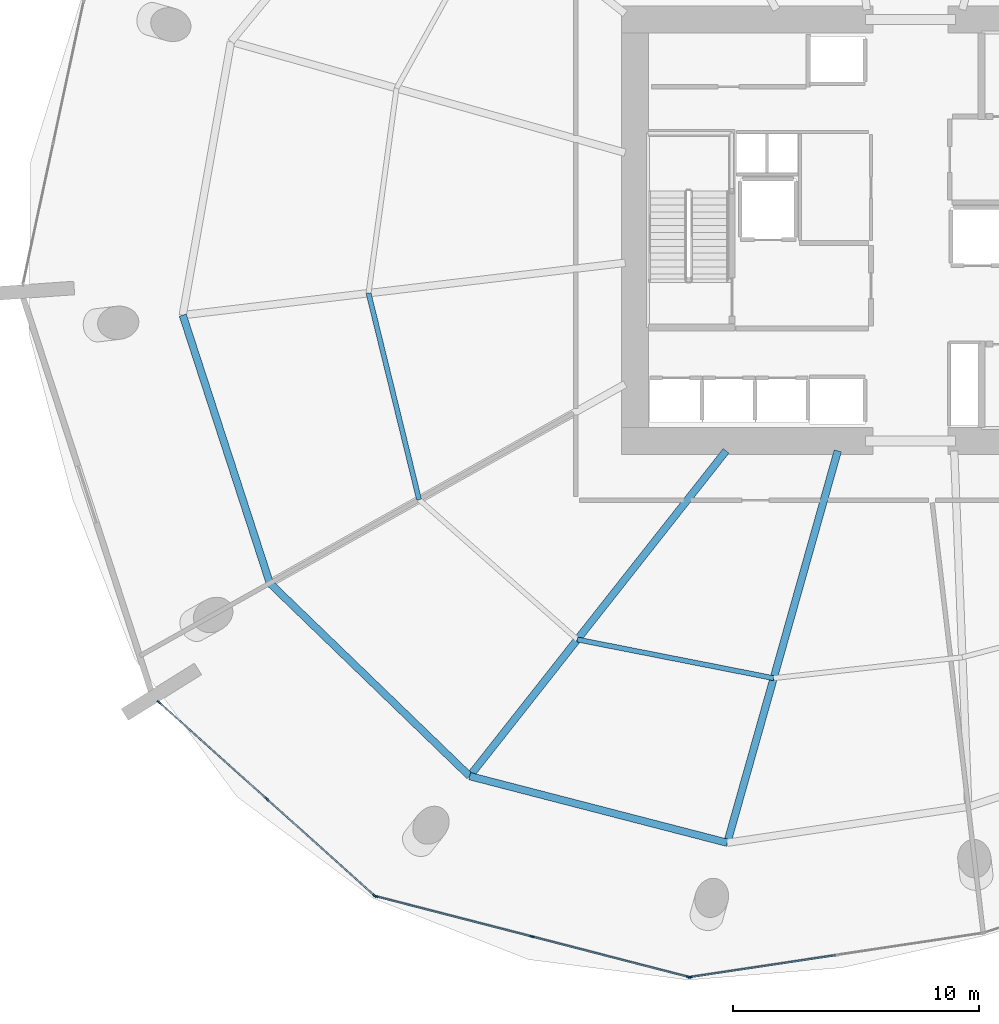
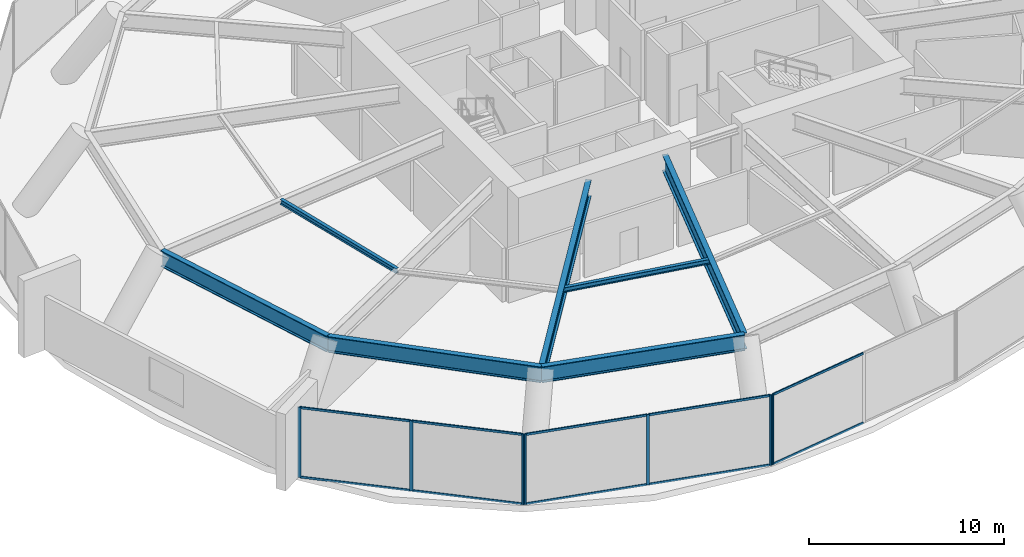
# One storey, part 7 of 21: 17 members, 7 beams, 3 elements without a shape of their own.
"""IFC4 building model written with IfcOpenShell, lengths in metres."""

import ifcopenshell
import ifcopenshell.guid

model = None  # the IFC model being written
_history = None  # IfcOwnerHistory: only IFC2X3 demands one
_inside = {}  # id of a spatial element -> (the spatial element, [elements in it])
_under = {}  # id of a project, library or spatial element -> (it, [spatial elements below it])
_declared = {}  # id of a project -> (the project, [libraries it declares])
_typed = {}  # id of a type object -> (the type object, [elements of that type])
_made_of = {}  # id of a material, layer set ... -> (it, [elements and type objects made of it])


def new_model(schema):
    """Start an empty IFC model of exactly this schema.

    Asked for "IFC4X3", IfcOpenShell would pick the latest addendum, in which some entities
    have other attributes; the version numbers below select the first issue.
    IFC2X3 requires an IfcOwnerHistory on every rooted entity: one is made here for all.
    """
    global model, _history
    if schema == "IFC4X3":
        model = ifcopenshell.file(schema_version=(4, 3, 0, 0))
    else:
        model = ifcopenshell.file(schema=schema)
    _inside.clear()
    _under.clear()
    _declared.clear()
    _typed.clear()
    _made_of.clear()
    _history = None
    if model.schema == "IFC2X3":
        org = make("IfcOrganization", Name="unknown")
        user = make(
            "IfcPersonAndOrganization",
            ThePerson=make("IfcPerson", FamilyName="unknown"),
            TheOrganization=org,
        )
        app = make(
            "IfcApplication",
            ApplicationDeveloper=org,
            Version="unknown",
            ApplicationFullName="unknown",
            ApplicationIdentifier="unknown",
        )
        _history = make(
            "IfcOwnerHistory",
            OwningUser=user,
            OwningApplication=app,
            ChangeAction="ADDED",
            CreationDate=0,
        )
    return model


def make(cls, **values):
    """One entity of the class cls with the attributes given. An attribute that is None is left unset."""
    return model.create_entity(
        cls, **{name: value for name, value in values.items() if value is not None}
    )


def rooted(cls, **values):
    """An entity with a GlobalId (a new one), such as an element, a storey or a relation."""
    return make(cls, GlobalId=ifcopenshell.guid.new(), OwnerHistory=_history, **values)


def si_unit(unit_type, name, prefix=None):
    """IfcSIUnit, for example si_unit("LENGTHUNIT", "METRE", prefix="MILLI")."""
    return make("IfcSIUnit", UnitType=unit_type, Prefix=prefix, Name=name)


def assignment(units):
    """IfcUnitAssignment: the units of a project."""
    return None if units is None else make("IfcUnitAssignment", Units=units)


def point(xyz):
    """IfcCartesianPoint."""
    return None if xyz is None else make("IfcCartesianPoint", Coordinates=xyz)


def direction(xyz):
    """IfcDirection."""
    return None if xyz is None else make("IfcDirection", DirectionRatios=xyz)


def frame(location, z_axis=None, x_axis=None):
    """IfcAxis2Placement3D, a coordinate frame: its origin and axes. An axis left out is left unset."""
    return make(
        "IfcAxis2Placement3D",
        Location=point(location),
        Axis=direction(z_axis),
        RefDirection=direction(x_axis),
    )


def frame_2d(location, x_axis=None):
    """IfcAxis2Placement2D, a coordinate frame in the plane: its origin and x axis."""
    return make(
        "IfcAxis2Placement2D", Location=point(location), RefDirection=direction(x_axis)
    )


def origin():
    """The frame at (0, 0, 0) with its axes left unset."""
    return frame((0.0, 0.0, 0.0))


def origin_2d():
    """The frame at (0, 0) in the plane with its x axis left unset."""
    return frame_2d((0.0, 0.0))


def place(relative_to, where):
    """IfcLocalPlacement: puts the frame where relative to a parent placement (None: the world)."""
    return make(
        "IfcLocalPlacement", PlacementRelTo=relative_to, RelativePlacement=where
    )


def context(
    kind, dimensions, precision=None, world=None, true_north=None, identifier=None
):
    """IfcGeometricRepresentationContext, for example the 3D "Model" context."""
    return make(
        "IfcGeometricRepresentationContext",
        ContextIdentifier=identifier,
        ContextType=kind,
        CoordinateSpaceDimension=dimensions,
        Precision=precision,
        WorldCoordinateSystem=world,
        TrueNorth=true_north,
    )


def subcontext(parent, identifier, kind, view, scale=None):
    """IfcGeometricRepresentationSubContext, for example "Body" below "Model"."""
    return make(
        "IfcGeometricRepresentationSubContext",
        ContextIdentifier=identifier,
        ContextType=kind,
        ParentContext=parent,
        TargetScale=scale,
        TargetView=view,
    )


def project(units=None, contexts=None):
    """IfcProject with its units and contexts."""
    return rooted(
        "IfcProject",
        Name="project",
        RepresentationContexts=contexts,
        UnitsInContext=assignment(units),
    )


def spatial(cls, under=None, at=None, **own):
    """A site, building, storey or space (cls), placed at a placement, below another one or the project."""
    s = rooted(cls, ObjectPlacement=at, **own)
    if under is not None:
        _under.setdefault(under.id(), (under, []))[1].append(s)
    return s


def profile(cls, at=None, kind="AREA", **sizes):
    """A parametric profile (cls). Its sizes go by their IFC names, for example OverallWidth=200.0."""
    return make(cls, ProfileType=kind, Position=at, **sizes)


def rectangle(**sizes):
    """IfcRectangleProfileDef."""
    return profile("IfcRectangleProfileDef", **sizes)


def i_section(**sizes):
    """IfcIShapeProfileDef."""
    return profile("IfcIShapeProfileDef", **sizes)


def extrude(swept, where, along, depth):
    """IfcExtrudedAreaSolid: the profile swept, set in the frame where, extruded along a direction by depth."""
    return make(
        "IfcExtrudedAreaSolid",
        SweptArea=swept,
        Position=where,
        ExtrudedDirection=direction(along),
        Depth=depth,
    )


def shape(context_of_items, identifier, shape_type, items):
    """IfcShapeRepresentation: the items that make up one representation, for example the "Body"."""
    return make(
        "IfcShapeRepresentation",
        ContextOfItems=context_of_items,
        RepresentationIdentifier=identifier,
        RepresentationType=shape_type,
        Items=items,
    )


def material(Name=None, Category=None):
    """IfcMaterial."""
    return make("IfcMaterial", Name=Name, Category=Category)


def layer(
    of_material, thickness, ventilated=None, Name=None, Category=None, Priority=None
):
    """IfcMaterialLayer: one layer of a wall or slab, of a material (None: an air gap)."""
    return make(
        "IfcMaterialLayer",
        Material=of_material,
        LayerThickness=thickness,
        IsVentilated=ventilated,
        Name=Name,
        Category=Category,
        Priority=Priority,
    )


def layer_set(layers, Name=None):
    """IfcMaterialLayerSet."""
    return make("IfcMaterialLayerSet", MaterialLayers=layers, LayerSetName=Name)


def material_profile(
    of_material, cross_section, Name=None, Category=None, Priority=None
):
    """IfcMaterialProfile: a cross section and its material."""
    return make(
        "IfcMaterialProfile",
        Name=Name,
        Material=of_material,
        Profile=cross_section,
        Priority=Priority,
        Category=Category,
    )


def profile_set(profiles, Name=None, composite=None):
    """IfcMaterialProfileSet."""
    return make(
        "IfcMaterialProfileSet",
        Name=Name,
        MaterialProfiles=profiles,
        CompositeProfile=composite,
    )


def made_of(thing, what):
    """Note that an element or type object is made of a material, layer set ...; save() writes the relation."""
    if what is not None:
        _made_of.setdefault(what.id(), (what, []))[1].append(thing)
    return thing


def type_object(cls, material=None, **own):
    """A type object (cls), such as IfcWallType, which elements share."""
    return made_of(rooted(cls, **own), material)


def element(
    cls,
    number,
    at=None,
    inside=None,
    cuts=None,
    type_object=None,
    material=None,
    context=None,
    identifier="Body",
    shape_type=None,
    held_by="IfcProductDefinitionShape",
    body=None,
    shapes=None,
    **own,
):
    """One element of the class cls, such as IfcWall. Its Tag is "e" and its number.

    at: its placement. inside: the storey or other place that contains it. cuts: it is an
    opening in that element (IfcRelVoidsElement). A single representation is given by context,
    identifier, shape_type and body (its items); several are given by shapes. held_by: the class
    of the entity that holds the representations. save() writes the other relations.
    """
    e = rooted(cls, Tag="e%d" % number, ObjectPlacement=at, **own)
    if body is not None:
        shapes = [shape(context, identifier, shape_type, body)]
    if shapes is not None:
        e.Representation = make(held_by, Representations=shapes)
    if inside is not None:
        _inside.setdefault(inside.id(), (inside, []))[1].append(e)
    if cuts is not None:
        rooted(
            "IfcRelVoidsElement", RelatingBuildingElement=cuts, RelatedOpeningElement=e
        )
    if type_object is not None:
        _typed.setdefault(type_object.id(), (type_object, []))[1].append(e)
    return made_of(e, material)


def aggregate(whole, parts):
    """IfcRelAggregates: a whole, such as a stair, and the parts it consists of."""
    return rooted("IfcRelAggregates", RelatingObject=whole, RelatedObjects=parts)


def save(model, path):
    """Write the relations noted so far, then the file.

    IfcRelAggregates (storeys below a building ...), IfcRelContainedInSpatialStructure (elements
    in a storey), IfcRelDefinesByType, IfcRelAssociatesMaterial and IfcRelDeclares: one each for
    every whole, place, type object, material and project.
    """
    for whole, parts in _under.values():
        aggregate(whole, parts)
    for where, things in _inside.values():
        rooted(
            "IfcRelContainedInSpatialStructure",
            RelatedElements=things,
            RelatingStructure=where,
        )
    for kind, things in _typed.values():
        rooted("IfcRelDefinesByType", RelatedObjects=things, RelatingType=kind)
    for what, things in _made_of.values():
        rooted("IfcRelAssociatesMaterial", RelatedObjects=things, RelatingMaterial=what)
    for by, libraries in _declared.values():
        rooted("IfcRelDeclares", RelatingContext=by, RelatedDefinitions=libraries)
    model.write(path)


model = new_model("IFC4")

# Units and contexts
model_context = context("Model", 3, precision=1e-05, world=origin(), true_north=direction((0.0, 1.0)))
body_context = subcontext(model_context, "Body", "Model", "MODEL_VIEW")
ifc_project = project(units=[si_unit("LENGTHUNIT", "METRE"), si_unit("AREAUNIT", "SQUARE_METRE"), si_unit("VOLUMEUNIT", "CUBIC_METRE"), si_unit("PLANEANGLEUNIT", "RADIAN"), si_unit("MASSUNIT", "GRAM", prefix="KILO")], contexts=[model_context])

# Site, building, storey
site_placement = place(None, origin())
site = spatial("IfcSite", under=ifc_project, at=site_placement, CompositionType="ELEMENT")
building_placement = place(site_placement, origin())
building = spatial("IfcBuilding", under=site, at=building_placement, Name="Kazma Halo Residences", CompositionType="ELEMENT")
storey_placement = place(building_placement, frame((0.0, 0.0, 21.60009765625)))
storey = spatial("IfcBuildingStorey", under=building, at=storey_placement, Name="L04", CompositionType="ELEMENT", Elevation=21.60009765625)

# Beams
ifc_material_1 = material(Name="Steel S355", Category="steel")
ifc_material_profile_1 = material_profile(ifc_material_1, i_section(OverallWidth=0.202880859375, OverallDepth=0.302978515625, WebThickness=0.007568359375, FlangeThickness=0.01318359375, FilletRadius=0.013916015625, at=origin_2d()), Name="W310x60")
ifc_profile_set_1 = profile_set([ifc_material_profile_1], Name="Steel S355")
beam_type_1 = type_object("IfcBeamType", Name="BM-SEC-W310A", PredefinedType="JOIST", material=ifc_profile_set_1)
beam_1_placement = place(storey_placement, frame((26.440185546875, 39.4482421875, 4.248291015625), z_axis=(0.237662095507, -0.971347892549, 0.0), x_axis=(0.971347892549, 0.237662095507, 0.0)))
element("IfcBeam", 1, at=beam_1_placement, inside=storey, type_object=beam_type_1, Name="L04 circumferential floor joist 08", PredefinedType="JOIST", context=body_context, shape_type="SweptSolid", body=[
    extrude(i_section(OverallWidth=0.202880859375, OverallDepth=0.302978515625, WebThickness=0.007568359375, FlangeThickness=0.01318359375, FilletRadius=0.013916015625, at=origin_2d()), origin(), (0.0, 0.0, 1.0), 8.621826171875),
])
beam_2_placement = place(storey_placement, frame((34.910888671875, 25.396484375, 4.248291015625), z_axis=(0.981161664365, -0.193188478901, 0.0), x_axis=(0.193188478901, 0.981161664365, 0.0)))
element("IfcBeam", 2, at=beam_2_placement, inside=storey, type_object=beam_type_1, Name="L04 circumferential floor joist 10", PredefinedType="JOIST", context=body_context, shape_type="SweptSolid", body=[
    extrude(i_section(OverallWidth=0.202880859375, OverallDepth=0.302978515625, WebThickness=0.007568359375, FlangeThickness=0.01318359375, FilletRadius=0.013916015625, at=origin_2d()), origin(), (0.0, 0.0, 1.0), 8.116943359375),
])
ifc_material_profile_2 = material_profile(ifc_material_1, i_section(OverallWidth=0.302001953125, OverallDepth=1.01806640625, WebThickness=0.021484375, FlangeThickness=0.049072265625, FilletRadius=0.028076171875, at=origin_2d()), Name="W1000x443")
ifc_profile_set_2 = profile_set([ifc_material_profile_2], Name="Steel S355")
beam_type_2 = type_object("IfcBeamType", Name="BM-TRANS-W1000A", PredefinedType="BEAM", material=ifc_profile_set_2)
beam_3_placement = place(storey_placement, frame((40.9443359375, 33.050048828125, 3.890869140625), z_axis=(-0.61908871366, -0.785321058306, 0.0), x_axis=(0.785321058306, -0.61908871366, 0.0)))
element("IfcBeam", 3, at=beam_3_placement, inside=storey, type_object=beam_type_2, Name="L04 podium radial transfer girder 10", PredefinedType="BEAM", context=body_context, shape_type="SweptSolid", body=[
    extrude(i_section(OverallWidth=0.302001953125, OverallDepth=1.01806640625, WebThickness=0.021484375, FlangeThickness=0.049072265625, FilletRadius=0.028076171875, at=origin_2d()), origin(), (0.0, 0.0, 1.0), 16.802978515625),
])
beam_4_placement = place(storey_placement, frame((45.475830078125, 33.050048828125, 3.890869140625), z_axis=(-0.271442263003, -0.962454725094, 0.0), x_axis=(0.962454725094, -0.271442263003, 0.0)))
element("IfcBeam", 4, at=beam_4_placement, inside=storey, type_object=beam_type_2, Name="L04 podium radial transfer girder 11", PredefinedType="BEAM", context=body_context, shape_type="SweptSolid", body=[
    extrude(i_section(OverallWidth=0.302001953125, OverallDepth=1.01806640625, WebThickness=0.021484375, FlangeThickness=0.049072265625, FilletRadius=0.028076171875, at=origin_2d()), origin(), (0.0, 0.0, 1.0), 16.51953125),
])
ifc_material_profile_3 = material_profile(ifc_material_1, i_section(OverallWidth=0.300048828125, OverallDepth=1.0, WebThickness=0.01904296875, FlangeThickness=0.0400390625, FilletRadius=0.02587890625, at=origin_2d()), Name="W1000x371")
ifc_profile_set_3 = profile_set([ifc_material_profile_3], Name="Steel S355")
beam_type_3 = type_object("IfcBeamType", Name="BM-TRANS-W1000B", PredefinedType="BEAM", material=ifc_profile_set_3)
beam_5_placement = place(storey_placement, frame((18.902099609375, 38.555908203125, 3.89990234375), z_axis=(0.309024264898, -0.951054153928, 0.0), x_axis=(0.951054153928, 0.309024264898, 0.0)))
element("IfcBeam", 5, at=beam_5_placement, inside=storey, type_object=beam_type_3, Name="L04 perimeter ring beam 08", PredefinedType="BEAM", context=body_context, shape_type="SweptSolid", body=[
    extrude(i_section(OverallWidth=0.300048828125, OverallDepth=1.0, WebThickness=0.01904296875, FlangeThickness=0.0400390625, FilletRadius=0.02587890625, at=origin_2d()), origin(), (0.0, 0.0, 1.0), 11.4326171875),
])
beam_6_placement = place(storey_placement, frame((22.43505859375, 27.682861328125, 3.89990234375), z_axis=(0.719336506967, -0.694661780829, 0.0), x_axis=(0.694661780829, 0.719336506967, 0.0)))
element("IfcBeam", 6, at=beam_6_placement, inside=storey, type_object=beam_type_3, Name="L04 perimeter ring beam 09", PredefinedType="BEAM", context=body_context, shape_type="SweptSolid", body=[
    extrude(i_section(OverallWidth=0.300048828125, OverallDepth=1.0, WebThickness=0.01904296875, FlangeThickness=0.0400390625, FilletRadius=0.02587890625, at=origin_2d()), origin(), (0.0, 0.0, 1.0), 11.269775390625),
])
beam_7_placement = place(storey_placement, frame((30.541748046875, 19.854248046875, 3.89990234375), z_axis=(0.968123558238, -0.250473104313, 0.0), x_axis=(0.250473104313, 0.968123558238, 0.0)))
element("IfcBeam", 7, at=beam_7_placement, inside=storey, type_object=beam_type_3, Name="L04 perimeter ring beam 10", PredefinedType="BEAM", context=body_context, shape_type="SweptSolid", body=[
    extrude(i_section(OverallWidth=0.300048828125, OverallDepth=1.0, WebThickness=0.01904296875, FlangeThickness=0.0400390625, FilletRadius=0.02587890625, at=origin_2d()), origin(), (0.0, 0.0, 1.0), 10.7939453125),
])

# Curtain wall, members
ifc_material_2 = material(Name="Aluminium AW-6063 T6 and Triple-Silver Low-E Glass", Category="aluminium")
ifc_layer = layer(ifc_material_2, 0.179931640625)
ifc_layer_set = layer_set([ifc_layer], Name="Aluminium AW-6063 T6 and Triple-Silver Low-E Glass")
curtain_wall_type = type_object("IfcCurtainWallType", Name="CW-SYS-1", PredefinedType="NOTDEFINED", material=ifc_layer_set)
curtain_wall_1_placement = place(storey_placement, origin())
curtain_wall_1 = element("IfcCurtainWall", 8, at=curtain_wall_1_placement, inside=storey, type_object=curtain_wall_type, Name="L04 unitised curtain wall B09", PredefinedType="NOTDEFINED")
ifc_material_3 = material(Name="Aluminium AW-6063 T6", Category="aluminium")
ifc_material_profile_4 = material_profile(ifc_material_3, rectangle(XDim=0.06494140625, YDim=0.179931640625, at=origin_2d()), Name="CWM-65x180")
ifc_profile_set_4 = profile_set([ifc_material_profile_4], Name="Aluminium AW-6063 T6")
member_type_1 = type_object("IfcMemberType", Name="CW-SYS-1-MUL", PredefinedType="MULLION", material=ifc_profile_set_4)
member_1_placement = place(storey_placement, frame((17.94140625, 22.85009765625, 0.0), z_axis=(0.0, 0.0, 1.0), x_axis=(0.667847908139, 0.744297770784, 0.0)))
member_1 = element("IfcMember", 9, at=member_1_placement, type_object=member_type_1, Name="CWS-1 mullion 1", PredefinedType="MULLION", context=body_context, shape_type="SweptSolid", body=[
    extrude(rectangle(XDim=0.06494140625, YDim=0.179931640625, at=origin_2d()), origin(), (0.0, 0.0, 1.0), 4.39990234375),
])
member_2_placement = place(storey_placement, frame((22.310791015625, 18.929443359375, 0.0), z_axis=(0.0, 0.0, 1.0), x_axis=(0.667847908139, 0.744297770784, 0.0)))
member_2 = element("IfcMember", 10, at=member_2_placement, type_object=member_type_1, Name="CWS-1 mullion 2", PredefinedType="MULLION", context=body_context, shape_type="SweptSolid", body=[
    extrude(rectangle(XDim=0.06494140625, YDim=0.179931640625, at=origin_2d()), origin(), (0.0, 0.0, 1.0), 4.39990234375),
])
member_3_placement = place(storey_placement, frame((26.680419921875, 15.0087890625, 0.0), z_axis=(0.0, 0.0, 1.0), x_axis=(0.667847908139, 0.744297770784, 0.0)))
member_3 = element("IfcMember", 11, at=member_3_placement, type_object=member_type_1, Name="CWS-1 mullion 3", PredefinedType="MULLION", context=body_context, shape_type="SweptSolid", body=[
    extrude(rectangle(XDim=0.06494140625, YDim=0.179931640625, at=origin_2d()), origin(), (0.0, 0.0, 1.0), 4.39990234375),
])

curtain_wall_2_placement = place(storey_placement, origin())
curtain_wall_2 = element("IfcCurtainWall", 12, at=curtain_wall_2_placement, inside=storey, type_object=curtain_wall_type, Name="L04 unitised curtain wall B10", PredefinedType="NOTDEFINED")
member_4_placement = place(storey_placement, frame((26.736083984375, 14.97900390625, 0.0), z_axis=(0.0, 0.0, 1.0), x_axis=(0.249727103953, 0.96831625699, 0.0)))
member_4 = element("IfcMember", 13, at=member_4_placement, type_object=member_type_1, Name="CWS-1 mullion 1", PredefinedType="MULLION", context=body_context, shape_type="SweptSolid", body=[
    extrude(rectangle(XDim=0.06494140625, YDim=0.179931640625, at=origin_2d()), origin(), (0.0, 0.0, 1.0), 4.39990234375),
])
member_5_placement = place(storey_placement, frame((33.079345703125, 13.343017578125, 0.0), z_axis=(0.0, 0.0, 1.0), x_axis=(0.249727103953, 0.96831625699, 0.0)))
member_5 = element("IfcMember", 14, at=member_5_placement, type_object=member_type_1, Name="CWS-1 mullion 2", PredefinedType="MULLION", context=body_context, shape_type="SweptSolid", body=[
    extrude(rectangle(XDim=0.06494140625, YDim=0.179931640625, at=origin_2d()), origin(), (0.0, 0.0, 1.0), 4.39990234375),
])
member_6_placement = place(storey_placement, frame((39.4228515625, 11.70703125, 0.0), z_axis=(0.0, 0.0, 1.0), x_axis=(0.249727103953, 0.96831625699, 0.0)))
member_6 = element("IfcMember", 15, at=member_6_placement, type_object=member_type_1, Name="CWS-1 mullion 3", PredefinedType="MULLION", context=body_context, shape_type="SweptSolid", body=[
    extrude(rectangle(XDim=0.06494140625, YDim=0.179931640625, at=origin_2d()), origin(), (0.0, 0.0, 1.0), 4.39990234375),
])

# Curtain wall, member
curtain_wall_3_placement = place(storey_placement, origin())
curtain_wall_3 = element("IfcCurtainWall", 16, at=curtain_wall_3_placement, inside=storey, type_object=curtain_wall_type, Name="L04 unitised curtain wall B11", PredefinedType="NOTDEFINED")
member_7_placement = place(storey_placement, frame((39.486328125, 11.70361328125, 0.0), z_axis=(0.0, 0.0, 1.0), x_axis=(-0.148548966342, 0.988905053379, 0.0)))
member_7 = element("IfcMember", 17, at=member_7_placement, type_object=member_type_1, Name="CWS-1 mullion 1", PredefinedType="MULLION", context=body_context, shape_type="SweptSolid", body=[
    extrude(rectangle(XDim=0.06494140625, YDim=0.179931640625, at=origin_2d()), origin(), (0.0, 0.0, 1.0), 4.39990234375),
])

# Member
ifc_material_profile_5 = material_profile(ifc_material_3, rectangle(XDim=0.06494140625, YDim=0.135009765625, at=origin_2d()), Name="CWT-65x135")
ifc_profile_set_5 = profile_set([ifc_material_profile_5], Name="Aluminium AW-6063 T6")
member_type_2 = type_object("IfcMemberType", Name="CW-SYS-1-TRN", PredefinedType="USERDEFINED", material=ifc_profile_set_5)
member_8_placement = place(storey_placement, frame((17.965576171875, 22.828369140625, 0.032470703125), z_axis=(0.744299097196, -0.667846429887, 0.0), x_axis=(0.667846429887, 0.744299097196, 0.0)))
member_8 = element("IfcMember", 18, at=member_8_placement, type_object=member_type_2, Name="CWS-1 transom 1.1", ObjectType="TRANSOM", PredefinedType="USERDEFINED", context=body_context, shape_type="SweptSolid", body=[
    extrude(rectangle(XDim=0.06494140625, YDim=0.135009765625, at=origin_2d()), origin(), (0.0, 0.0, 1.0), 5.805419921875),
])

member_9_placement = place(storey_placement, frame((17.965576171875, 22.828369140625, 4.367431640625), z_axis=(0.744299097196, -0.667846429887, 0.0), x_axis=(0.667846429887, 0.744299097196, 0.0)))
member_9 = element("IfcMember", 19, at=member_9_placement, type_object=member_type_2, Name="CWS-1 transom 1.2", ObjectType="TRANSOM", PredefinedType="USERDEFINED", context=body_context, shape_type="SweptSolid", body=[
    extrude(rectangle(XDim=0.06494140625, YDim=0.135009765625, at=origin_2d()), origin(), (0.0, 0.0, 1.0), 5.805419921875),
])

member_10_placement = place(storey_placement, frame((22.3349609375, 18.90771484375, 0.032470703125), z_axis=(0.744317852823, -0.667825526592, 0.0), x_axis=(0.667825526592, 0.744317852823, 0.0)))
member_10 = element("IfcMember", 20, at=member_10_placement, type_object=member_type_2, Name="CWS-1 transom 2.1", ObjectType="TRANSOM", PredefinedType="USERDEFINED", context=body_context, shape_type="SweptSolid", body=[
    extrude(rectangle(XDim=0.06494140625, YDim=0.135009765625, at=origin_2d()), origin(), (0.0, 0.0, 1.0), 5.8056640625),
])

member_11_placement = place(storey_placement, frame((22.3349609375, 18.90771484375, 4.367431640625), z_axis=(0.744317852823, -0.667825526592, 0.0), x_axis=(0.667825526592, 0.744317852823, 0.0)))
member_11 = element("IfcMember", 21, at=member_11_placement, type_object=member_type_2, Name="CWS-1 transom 2.2", ObjectType="TRANSOM", PredefinedType="USERDEFINED", context=body_context, shape_type="SweptSolid", body=[
    extrude(rectangle(XDim=0.06494140625, YDim=0.135009765625, at=origin_2d()), origin(), (0.0, 0.0, 1.0), 5.8056640625),
])

aggregate(curtain_wall_1, [member_1, member_2, member_3, member_8, member_9, member_10, member_11])

member_12_placement = place(storey_placement, frame((26.767578125, 14.970703125, 0.032470703125), z_axis=(0.968317854782, -0.249720908437, 0.0), x_axis=(0.249720908437, 0.968317854782, 0.0)))
member_12 = element("IfcMember", 22, at=member_12_placement, type_object=member_type_2, Name="CWS-1 transom 1.1", ObjectType="TRANSOM", PredefinedType="USERDEFINED", context=body_context, shape_type="SweptSolid", body=[
    extrude(rectangle(XDim=0.06494140625, YDim=0.135009765625, at=origin_2d()), origin(), (0.0, 0.0, 1.0), 6.48583984375),
])

member_13_placement = place(storey_placement, frame((26.767578125, 14.970703125, 4.367431640625), z_axis=(0.968317854782, -0.249720908437, 0.0), x_axis=(0.249720908437, 0.968317854782, 0.0)))
member_13 = element("IfcMember", 23, at=member_13_placement, type_object=member_type_2, Name="CWS-1 transom 1.2", ObjectType="TRANSOM", PredefinedType="USERDEFINED", context=body_context, shape_type="SweptSolid", body=[
    extrude(rectangle(XDim=0.06494140625, YDim=0.135009765625, at=origin_2d()), origin(), (0.0, 0.0, 1.0), 6.48583984375),
])

member_14_placement = place(storey_placement, frame((33.11083984375, 13.334716796875, 0.032470703125), z_axis=(0.968320202065, -0.249711806433, 0.0), x_axis=(0.249711806433, 0.968320202065, 0.0)))
member_14 = element("IfcMember", 24, at=member_14_placement, type_object=member_type_2, Name="CWS-1 transom 2.1", ObjectType="TRANSOM", PredefinedType="USERDEFINED", context=body_context, shape_type="SweptSolid", body=[
    extrude(rectangle(XDim=0.06494140625, YDim=0.135009765625, at=origin_2d()), origin(), (0.0, 0.0, 1.0), 6.486083984375),
])

member_15_placement = place(storey_placement, frame((33.11083984375, 13.334716796875, 4.367431640625), z_axis=(0.968320202065, -0.249711806433, 0.0), x_axis=(0.249711806433, 0.968320202065, 0.0)))
member_15 = element("IfcMember", 25, at=member_15_placement, type_object=member_type_2, Name="CWS-1 transom 2.2", ObjectType="TRANSOM", PredefinedType="USERDEFINED", context=body_context, shape_type="SweptSolid", body=[
    extrude(rectangle(XDim=0.06494140625, YDim=0.135009765625, at=origin_2d()), origin(), (0.0, 0.0, 1.0), 6.486083984375),
])

aggregate(curtain_wall_2, [member_4, member_5, member_6, member_12, member_13, member_14, member_15])

member_16_placement = place(storey_placement, frame((39.5185546875, 11.70849609375, 0.032470703125), z_axis=(0.988903408536, 0.14855991581, 0.0), x_axis=(-0.14855991581, 0.988903408536, 0.0)))
member_16 = element("IfcMember", 26, at=member_16_placement, type_object=member_type_2, Name="CWS-1 transom 1.1", ObjectType="TRANSOM", PredefinedType="USERDEFINED", context=body_context, shape_type="SweptSolid", body=[
    extrude(rectangle(XDim=0.06494140625, YDim=0.135009765625, at=origin_2d()), origin(), (0.0, 0.0, 1.0), 5.92919921875),
])

member_17_placement = place(storey_placement, frame((39.5185546875, 11.70849609375, 4.367431640625), z_axis=(0.988903408536, 0.14855991581, 0.0), x_axis=(-0.14855991581, 0.988903408536, 0.0)))
member_17 = element("IfcMember", 27, at=member_17_placement, type_object=member_type_2, Name="CWS-1 transom 1.2", ObjectType="TRANSOM", PredefinedType="USERDEFINED", context=body_context, shape_type="SweptSolid", body=[
    extrude(rectangle(XDim=0.06494140625, YDim=0.135009765625, at=origin_2d()), origin(), (0.0, 0.0, 1.0), 5.92919921875),
])

aggregate(curtain_wall_3, [member_7, member_16, member_17])

save(model, "model.ifc")
